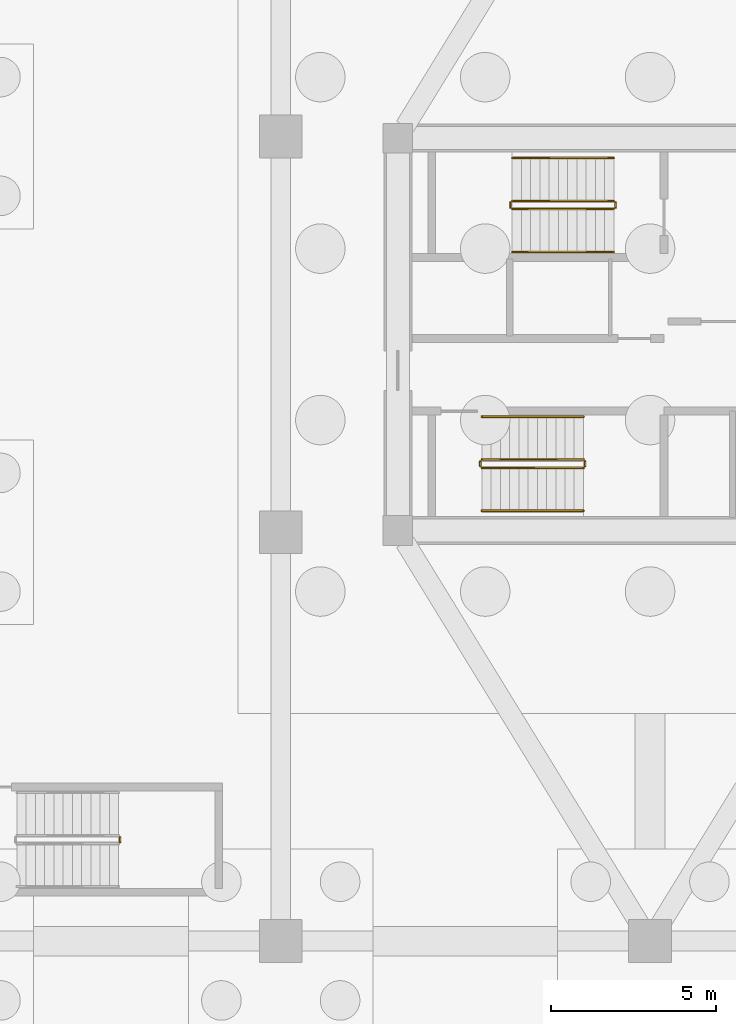
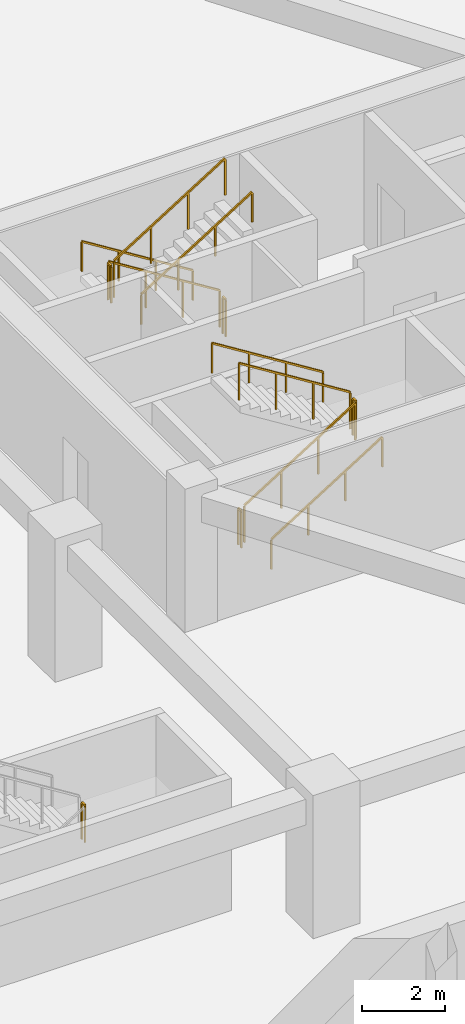
# One storey, part 13 of 14: 13 railings.
"""IFC4 building model written with IfcOpenShell, lengths in metres."""

from ifc_helpers import new_model, si_unit, direction, frame, origin, origin_2d, place, context, subcontext, project, spatial, rectangle, extrude, material, type_object, element, save


model = new_model("IFC4")

# Units and contexts
model_context = context("Model", 3, precision=1e-05, world=origin(), true_north=direction((0.0, 1.0)))
body_context = subcontext(model_context, "Body", "Model", "MODEL_VIEW")
ifc_project = project(units=[si_unit("LENGTHUNIT", "METRE"), si_unit("AREAUNIT", "SQUARE_METRE"), si_unit("VOLUMEUNIT", "CUBIC_METRE"), si_unit("PLANEANGLEUNIT", "RADIAN"), si_unit("MASSUNIT", "GRAM", prefix="KILO")], contexts=[model_context])

# Site, building, storey
site_placement = place(None, origin())
site = spatial("IfcSite", under=ifc_project, at=site_placement, CompositionType="ELEMENT")
building_placement = place(site_placement, origin())
building = spatial("IfcBuilding", under=site, at=building_placement, Name="Norrkilde Senior Care Towers", CompositionType="ELEMENT")
storey_placement = place(building_placement, frame((0.0, 0.0, -8.39990234375)))
storey = spatial("IfcBuildingStorey", under=building, at=storey_placement, Name="B2", CompositionType="ELEMENT", Elevation=-8.39990234375)

# Railings
ifc_material_1 = material(Name="Stainless Steel", Category="steel")
railing_type_1 = type_object("IfcRailingType", Name="Stair and Terrace Guardrail 1100", PredefinedType="GUARDRAIL", material=ifc_material_1)
railing_1_placement = place(storey_placement, frame((26.89990234375, 4.050048828125, 0.1748046875)))
element("IfcRailing", 1, at=railing_1_placement, inside=storey, type_object=railing_type_1, Name="B2 ST-E1 stair guard 1", PredefinedType="GUARDRAIL", context=body_context, shape_type="SweptSolid", body=[
    extrude(rectangle(XDim=0.048095703125, YDim=0.048095703125, at=origin_2d()), frame((0.0, 0.0, 1.076171875), z_axis=(-0.847979421464, 0.0, 0.530029150871), x_axis=(0.0, -1.0, 0.0)), (0.0, 0.0, 1.0), 3.632080078125),
    extrude(rectangle(XDim=0.0419921875, YDim=0.0419921875, at=origin_2d()), origin(), (0.0, 0.0, 1.0), 1.050048828125),
    extrude(rectangle(XDim=0.0419921875, YDim=0.0419921875, at=origin_2d()), frame((-1.026611328125, 0.0, 0.6416015625)), (0.0, 0.0, 1.0), 1.050048828125),
    extrude(rectangle(XDim=0.0419921875, YDim=0.0419921875, at=origin_2d()), frame((-2.05322265625, 0.0, 1.283447265625)), (0.0, 0.0, 1.0), 1.050048828125),
    extrude(rectangle(XDim=0.0419921875, YDim=0.0419921875, at=origin_2d()), frame((-3.079833984375, 0.0, 1.925048828125)), (0.0, 0.0, 1.0), 1.050048828125),
])
railing_2_placement = place(storey_placement, frame((23.77001953125, 4.0, 2.099853515625)))
element("IfcRailing", 2, at=railing_2_placement, inside=storey, type_object=railing_type_1, Name="B2 ST-E1 stair guard 2", PredefinedType="GUARDRAIL", context=body_context, shape_type="SweptSolid", body=[
    extrude(rectangle(XDim=0.048095703125, YDim=0.048095703125, at=origin_2d()), frame((0.0, 0.0, 1.076171875), z_axis=(0.0, -1.0, 0.0), x_axis=(1.0, 0.0, 0.0)), (0.0, 0.0, 1.0), 0.14990234375),
    extrude(rectangle(XDim=0.0419921875, YDim=0.0419921875, at=origin_2d()), origin(), (0.0, 0.0, 1.0), 1.050048828125),
    extrude(rectangle(XDim=0.0419921875, YDim=0.0419921875, at=origin_2d()), frame((0.0, -0.14990234375, 0.0)), (0.0, 0.0, 1.0), 1.050048828125),
])
railing_3_placement = place(storey_placement, frame((23.820068359375, 3.800048828125, 2.27490234375)))
element("IfcRailing", 3, at=railing_3_placement, inside=storey, type_object=railing_type_1, Name="B2 ST-E1 stair guard 3", PredefinedType="GUARDRAIL", context=body_context, shape_type="SweptSolid", body=[
    extrude(rectangle(XDim=0.048095703125, YDim=0.048095703125, at=origin_2d()), frame((0.0, 0.0, 1.076171875), z_axis=(0.847979421464, 0.0, 0.530029150871), x_axis=(0.0, 1.0, 0.0)), (0.0, 0.0, 1.0), 3.632080078125),
    extrude(rectangle(XDim=0.0419921875, YDim=0.0419921875, at=origin_2d()), origin(), (0.0, 0.0, 1.0), 1.050048828125),
    extrude(rectangle(XDim=0.0419921875, YDim=0.0419921875, at=origin_2d()), frame((1.026611328125, 0.0, 0.6416015625)), (0.0, 0.0, 1.0), 1.050048828125),
    extrude(rectangle(XDim=0.0419921875, YDim=0.0419921875, at=origin_2d()), frame((2.05322265625, 0.0, 1.283447265625)), (0.0, 0.0, 1.0), 1.050048828125),
    extrude(rectangle(XDim=0.0419921875, YDim=0.0419921875, at=origin_2d()), frame((3.079833984375, 0.0, 1.925048828125)), (0.0, 0.0, 1.0), 1.050048828125),
])
railing_4_placement = place(storey_placement, frame((26.949951171875, 4.0, 0.0)))
element("IfcRailing", 4, at=railing_4_placement, inside=storey, type_object=railing_type_1, Name="B2 ST-E1 stair guard 4", PredefinedType="GUARDRAIL", context=body_context, shape_type="SweptSolid", body=[
    extrude(rectangle(XDim=0.048095703125, YDim=0.048095703125, at=origin_2d()), frame((0.0, 0.0, 1.076171875), z_axis=(0.0, -1.0, 0.0), x_axis=(1.0, 0.0, 0.0)), (0.0, 0.0, 1.0), 0.14990234375),
    extrude(rectangle(XDim=0.0419921875, YDim=0.0419921875, at=origin_2d()), origin(), (0.0, 0.0, 1.0), 1.050048828125),
    extrude(rectangle(XDim=0.0419921875, YDim=0.0419921875, at=origin_2d()), frame((0.0, -0.14990234375, 0.0)), (0.0, 0.0, 1.0), 1.050048828125),
])
railing_5_placement = place(storey_placement, frame((22.89990234375, -4.050048828125, 0.1748046875)))
element("IfcRailing", 5, at=railing_5_placement, inside=storey, type_object=railing_type_1, Name="B2 ST-E2 stair guard 1", PredefinedType="GUARDRAIL", context=body_context, shape_type="SweptSolid", body=[
    extrude(rectangle(XDim=0.048095703125, YDim=0.048095703125, at=origin_2d()), frame((0.0, 0.0, 1.076171875), z_axis=(0.847998304005, 0.0, 0.529998940003), x_axis=(0.0, 1.0, 0.0)), (0.0, 0.0, 1.0), 3.632080078125),
    extrude(rectangle(XDim=0.0419921875, YDim=0.0419921875, at=origin_2d()), origin(), (0.0, 0.0, 1.0), 1.050048828125),
    extrude(rectangle(XDim=0.0419921875, YDim=0.0419921875, at=origin_2d()), frame((1.026611328125, 0.0, 0.6416015625)), (0.0, 0.0, 1.0), 1.050048828125),
    extrude(rectangle(XDim=0.0419921875, YDim=0.0419921875, at=origin_2d()), frame((2.053466796875, 0.0, 1.283447265625)), (0.0, 0.0, 1.0), 1.050048828125),
    extrude(rectangle(XDim=0.0419921875, YDim=0.0419921875, at=origin_2d()), frame((3.080078125, 0.0, 1.925048828125)), (0.0, 0.0, 1.0), 1.050048828125),
])
railing_6_placement = place(storey_placement, frame((26.030029296875, -4.0, 2.099853515625)))
element("IfcRailing", 6, at=railing_6_placement, inside=storey, type_object=railing_type_1, Name="B2 ST-E2 stair guard 2", PredefinedType="GUARDRAIL", context=body_context, shape_type="SweptSolid", body=[
    extrude(rectangle(XDim=0.048095703125, YDim=0.048095703125, at=origin_2d()), frame((0.0, 0.0, 1.076171875), z_axis=(0.0, 1.0, 0.0), x_axis=(-1.0, 0.0, 0.0)), (0.0, 0.0, 1.0), 0.14990234375),
    extrude(rectangle(XDim=0.0419921875, YDim=0.0419921875, at=origin_2d()), origin(), (0.0, 0.0, 1.0), 1.050048828125),
    extrude(rectangle(XDim=0.0419921875, YDim=0.0419921875, at=origin_2d()), frame((0.0, 0.14990234375, 0.0)), (0.0, 0.0, 1.0), 1.050048828125),
])
railing_7_placement = place(storey_placement, frame((25.97998046875, -3.800048828125, 2.27490234375)))
element("IfcRailing", 7, at=railing_7_placement, inside=storey, type_object=railing_type_1, Name="B2 ST-E2 stair guard 3", PredefinedType="GUARDRAIL", context=body_context, shape_type="SweptSolid", body=[
    extrude(rectangle(XDim=0.048095703125, YDim=0.048095703125, at=origin_2d()), frame((0.0, 0.0, 1.076171875), z_axis=(-0.847998304005, 0.0, 0.529998940003), x_axis=(0.0, -1.0, 0.0)), (0.0, 0.0, 1.0), 3.632080078125),
    extrude(rectangle(XDim=0.0419921875, YDim=0.0419921875, at=origin_2d()), origin(), (0.0, 0.0, 1.0), 1.050048828125),
    extrude(rectangle(XDim=0.0419921875, YDim=0.0419921875, at=origin_2d()), frame((-1.026611328125, 0.0, 0.6416015625)), (0.0, 0.0, 1.0), 1.050048828125),
    extrude(rectangle(XDim=0.0419921875, YDim=0.0419921875, at=origin_2d()), frame((-2.053466796875, 0.0, 1.283447265625)), (0.0, 0.0, 1.0), 1.050048828125),
    extrude(rectangle(XDim=0.0419921875, YDim=0.0419921875, at=origin_2d()), frame((-3.080078125, 0.0, 1.925048828125)), (0.0, 0.0, 1.0), 1.050048828125),
])
for number, where, name in (
    (8, (22.85009765625, -4.0, 0.0), "B2 ST-E2 stair guard 4"),
    (9, (11.929931640625, -15.39990234375, 2.099853515625), "B2 ST-P2 stair guard 2"),
):
    element("IfcRailing", number, at=place(storey_placement, frame(where)), inside=storey, type_object=railing_type_1, Name=name, PredefinedType="GUARDRAIL", context=body_context, shape_type="SweptSolid", body=[
        extrude(rectangle(XDim=0.048095703125, YDim=0.048095703125, at=origin_2d()), frame((0.0, 0.0, 1.076171875), z_axis=(0.0, 1.0, 0.0), x_axis=(-1.0, 0.0, 0.0)), (0.0, 0.0, 1.0), 0.14990234375),
        extrude(rectangle(XDim=0.0419921875, YDim=0.0419921875, at=origin_2d()), origin(), (0.0, 0.0, 1.0), 1.050048828125),
        extrude(rectangle(XDim=0.0419921875, YDim=0.0419921875, at=origin_2d()), frame((0.0, 0.14990234375, 0.0)), (0.0, 0.0, 1.0), 1.050048828125),
    ])
ifc_material_2 = material(Name="Nordic Ash Timber", Category="wood")
railing_type_2 = type_object("IfcRailingType", Name="Wall and Stair Handrail 900", PredefinedType="HANDRAIL", material=ifc_material_2)
railing_8_placement = place(storey_placement, frame((26.89990234375, 5.35009765625, 0.1748046875)))
element("IfcRailing", 10, at=railing_8_placement, inside=storey, type_object=railing_type_2, Name="B2 ST-E1 stair handrail 1", PredefinedType="HANDRAIL", context=body_context, shape_type="SweptSolid", body=[
    extrude(rectangle(XDim=0.048095703125, YDim=0.048095703125, at=origin_2d()), frame((0.0, 0.0, 0.8759765625), z_axis=(-0.847979421464, 0.0, 0.530029150871), x_axis=(0.0, -1.0, 0.0)), (0.0, 0.0, 1.0), 3.632080078125),
    extrude(rectangle(XDim=0.0419921875, YDim=0.0419921875, at=origin_2d()), origin(), (0.0, 0.0, 1.0), 0.849853515625),
    extrude(rectangle(XDim=0.0419921875, YDim=0.0419921875, at=origin_2d()), frame((-1.026611328125, 0.0, 0.6416015625)), (0.0, 0.0, 1.0), 0.849853515625),
    extrude(rectangle(XDim=0.0419921875, YDim=0.0419921875, at=origin_2d()), frame((-2.05322265625, 0.0, 1.283447265625)), (0.0, 0.0, 1.0), 0.849853515625),
    extrude(rectangle(XDim=0.0419921875, YDim=0.0419921875, at=origin_2d()), frame((-3.079833984375, 0.0, 1.925048828125)), (0.0, 0.0, 1.0), 0.849853515625),
])
railing_9_placement = place(storey_placement, frame((23.820068359375, 2.5, 2.27490234375)))
element("IfcRailing", 11, at=railing_9_placement, inside=storey, type_object=railing_type_2, Name="B2 ST-E1 stair handrail 2", PredefinedType="HANDRAIL", context=body_context, shape_type="SweptSolid", body=[
    extrude(rectangle(XDim=0.048095703125, YDim=0.048095703125, at=origin_2d()), frame((0.0, 0.0, 0.8759765625), z_axis=(0.847979421464, 0.0, 0.530029150871), x_axis=(0.0, 1.0, 0.0)), (0.0, 0.0, 1.0), 3.632080078125),
    extrude(rectangle(XDim=0.0419921875, YDim=0.0419921875, at=origin_2d()), origin(), (0.0, 0.0, 1.0), 0.849853515625),
    extrude(rectangle(XDim=0.0419921875, YDim=0.0419921875, at=origin_2d()), frame((1.026611328125, 0.0, 0.6416015625)), (0.0, 0.0, 1.0), 0.849853515625),
    extrude(rectangle(XDim=0.0419921875, YDim=0.0419921875, at=origin_2d()), frame((2.05322265625, 0.0, 1.283447265625)), (0.0, 0.0, 1.0), 0.849853515625),
    extrude(rectangle(XDim=0.0419921875, YDim=0.0419921875, at=origin_2d()), frame((3.079833984375, 0.0, 1.925048828125)), (0.0, 0.0, 1.0), 0.849853515625),
])
railing_10_placement = place(storey_placement, frame((22.89990234375, -5.35009765625, 0.1748046875)))
element("IfcRailing", 12, at=railing_10_placement, inside=storey, type_object=railing_type_2, Name="B2 ST-E2 stair handrail 1", PredefinedType="HANDRAIL", context=body_context, shape_type="SweptSolid", body=[
    extrude(rectangle(XDim=0.048095703125, YDim=0.048095703125, at=origin_2d()), frame((0.0, 0.0, 0.8759765625), z_axis=(0.847998304005, 0.0, 0.529998940003), x_axis=(0.0, 1.0, 0.0)), (0.0, 0.0, 1.0), 3.632080078125),
    extrude(rectangle(XDim=0.0419921875, YDim=0.0419921875, at=origin_2d()), origin(), (0.0, 0.0, 1.0), 0.849853515625),
    extrude(rectangle(XDim=0.0419921875, YDim=0.0419921875, at=origin_2d()), frame((1.026611328125, 0.0, 0.6416015625)), (0.0, 0.0, 1.0), 0.849853515625),
    extrude(rectangle(XDim=0.0419921875, YDim=0.0419921875, at=origin_2d()), frame((2.053466796875, 0.0, 1.283447265625)), (0.0, 0.0, 1.0), 0.849853515625),
    extrude(rectangle(XDim=0.0419921875, YDim=0.0419921875, at=origin_2d()), frame((3.080078125, 0.0, 1.925048828125)), (0.0, 0.0, 1.0), 0.849853515625),
])
railing_11_placement = place(storey_placement, frame((25.97998046875, -2.5, 2.27490234375)))
element("IfcRailing", 13, at=railing_11_placement, inside=storey, type_object=railing_type_2, Name="B2 ST-E2 stair handrail 2", PredefinedType="HANDRAIL", context=body_context, shape_type="SweptSolid", body=[
    extrude(rectangle(XDim=0.048095703125, YDim=0.048095703125, at=origin_2d()), frame((0.0, 0.0, 0.8759765625), z_axis=(-0.847998304005, 0.0, 0.529998940003), x_axis=(0.0, -1.0, 0.0)), (0.0, 0.0, 1.0), 3.632080078125),
    extrude(rectangle(XDim=0.0419921875, YDim=0.0419921875, at=origin_2d()), origin(), (0.0, 0.0, 1.0), 0.849853515625),
    extrude(rectangle(XDim=0.0419921875, YDim=0.0419921875, at=origin_2d()), frame((-1.026611328125, 0.0, 0.6416015625)), (0.0, 0.0, 1.0), 0.849853515625),
    extrude(rectangle(XDim=0.0419921875, YDim=0.0419921875, at=origin_2d()), frame((-2.053466796875, 0.0, 1.283447265625)), (0.0, 0.0, 1.0), 0.849853515625),
    extrude(rectangle(XDim=0.0419921875, YDim=0.0419921875, at=origin_2d()), frame((-3.080078125, 0.0, 1.925048828125)), (0.0, 0.0, 1.0), 0.849853515625),
])

save(model, "model.ifc")
